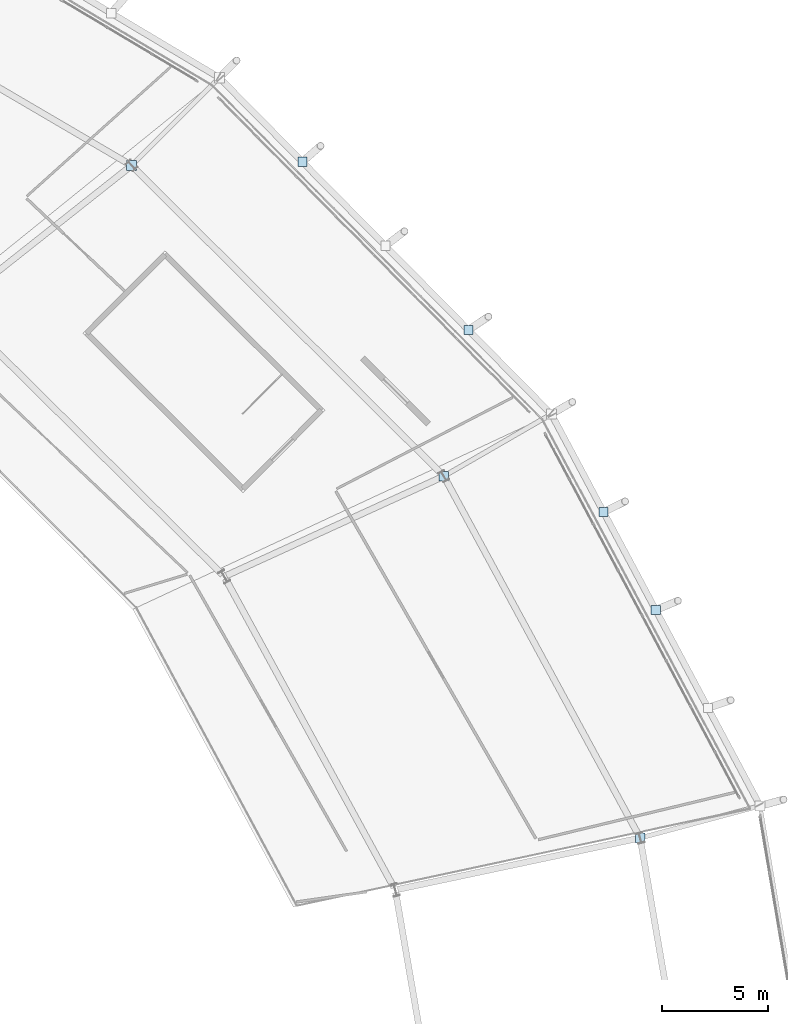
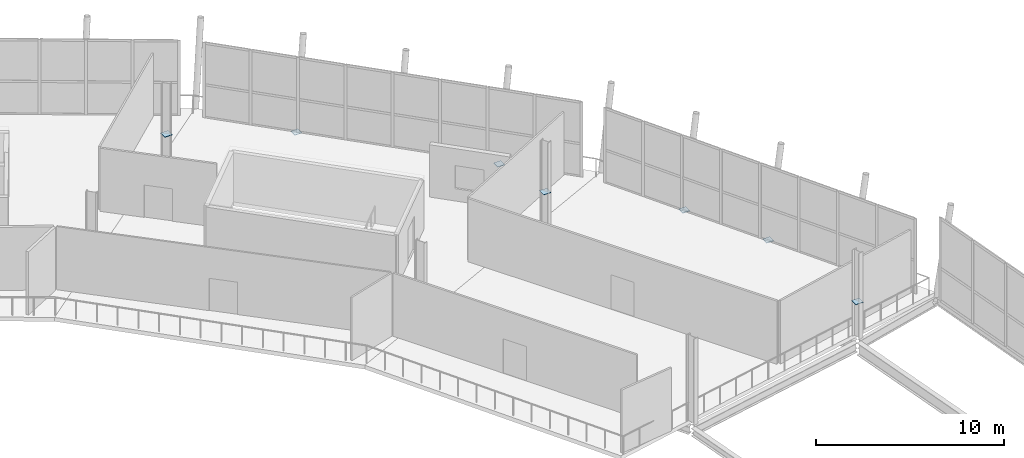
# One storey, part 73 of 99: 7 plates.
"""IFC4 building model written with IfcOpenShell, lengths in metres."""

from ifc_helpers import new_model, si_unit, direction, frame, origin, origin_2d, place, context, subcontext, project, spatial, rectangle, extrude, material, layer, layer_set, type_object, element, save


model = new_model("IFC4")

# Units and contexts
model_context = context("Model", 3, precision=1e-05, world=origin(), true_north=direction((0.0, 1.0)))
body_context = subcontext(model_context, "Body", "Model", "MODEL_VIEW")
ifc_project = project(units=[si_unit("LENGTHUNIT", "METRE"), si_unit("AREAUNIT", "SQUARE_METRE"), si_unit("VOLUMEUNIT", "CUBIC_METRE"), si_unit("PLANEANGLEUNIT", "RADIAN"), si_unit("MASSUNIT", "GRAM", prefix="KILO")], contexts=[model_context])

# Site, building, storey
site_placement = place(None, origin())
site = spatial("IfcSite", under=ifc_project, at=site_placement, CompositionType="ELEMENT")
building_placement = place(site_placement, origin())
building = spatial("IfcBuilding", under=site, at=building_placement, Name="Zlatoyarsky Gate Stadium", CompositionType="ELEMENT")
storey_placement = place(building_placement, frame((0.0, 0.0, 26.199951171875)))
storey = spatial("IfcBuildingStorey", under=building, at=storey_placement, Name="L05", CompositionType="ELEMENT", Elevation=26.199951171875)

# Plates
ifc_material = material(Name="Steel S355", Category="steel")
ifc_layer = layer(ifc_material, 0.02392578125)
ifc_layer_set = layer_set([ifc_layer], Name="Steel S355")
plate_type = type_object("IfcPlateType", Name="STEEL HOLLOW CHORD SPLICE SHEET 24", PredefinedType="SHEET", material=ifc_layer_set)
for number, where, z_axis, x_axis, name in (
    (1, (201.56982421875, 109.168212890625, -0.52197265625), (0.0, 0.0, 1.0), (1.0, 0.0, 0.0), "Node closure plate ND-SP1 NCAP-RIB-01-2-3T"),
    (2, (199.100341796875, 113.8037109375, -0.52197265625), (0.0, 0.0, 1.0), (1.0, 0.0, 0.0), "Node closure plate ND-SP1 NCAP-RIB-01-3-3T"),
):
    element("IfcPlate", number, at=place(storey_placement, frame(where, z_axis=z_axis, x_axis=x_axis)), inside=storey, type_object=plate_type, Name=name, PredefinedType="SHEET", context=body_context, shape_type="SweptSolid", body=[
        extrude(rectangle(XDim=0.43994140625, YDim=0.43994140625, at=origin_2d()), origin(), (0.0, 0.0, 1.0), 0.02392578125),
    ])
plate_placement = place(storey_placement, frame((200.8310546875, 98.376220703125, 2.2880859375), z_axis=(0.0, 0.0, 1.0), x_axis=(1.0, 0.0, 0.0)))
element("IfcPlate", 3, at=plate_placement, inside=storey, type_object=plate_type, Name="Node closure plate ND-SP1 NCAP-BPROP-01", PredefinedType="SHEET", context=body_context, shape_type="SweptSolid", body=[
    extrude(rectangle(XDim=0.4599609375, YDim=0.4599609375, at=origin_2d()), origin(), (0.0, 0.0, 1.0), 0.02392578125),
])
for number, where, z_axis, x_axis, name in (
    (4, (192.702392578125, 122.41943359375, -0.52197265625), (0.0, 0.0, 1.0), (1.0, 0.0, 0.0), "Node closure plate ND-SP1 NCAP-RIB-02-1-3T"),
    (5, (184.845703125, 130.380615234375, -0.52197265625), (0.0, 0.0, 1.0), (1.0, 0.0, 0.0), "Node closure plate ND-SP1 NCAP-RIB-02-3-3T"),
):
    element("IfcPlate", number, at=place(storey_placement, frame(where, z_axis=z_axis, x_axis=x_axis)), inside=storey, type_object=plate_type, Name=name, PredefinedType="SHEET", context=body_context, shape_type="SweptSolid", body=[
        extrude(rectangle(XDim=0.43994140625, YDim=0.43994140625, at=origin_2d()), origin(), (0.0, 0.0, 1.0), 0.02392578125),
    ])
for number, where, z_axis, x_axis, name in (
    (6, (191.540283203125, 115.5, 2.2880859375), (0.0, 0.0, 1.0), (1.0, 0.0, 0.0), "Node closure plate ND-SP1 NCAP-BPROP-02"),
    (7, (176.760986328125, 130.20458984375, 2.2880859375), (0.0, 0.0, 1.0), (1.0, 0.0, 0.0), "Node closure plate ND-SP1 NCAP-BPROP-03"),
):
    element("IfcPlate", number, at=place(storey_placement, frame(where, z_axis=z_axis, x_axis=x_axis)), inside=storey, type_object=plate_type, Name=name, PredefinedType="SHEET", context=body_context, shape_type="SweptSolid", body=[
        extrude(rectangle(XDim=0.4599609375, YDim=0.4599609375, at=origin_2d()), origin(), (0.0, 0.0, 1.0), 0.02392578125),
    ])

save(model, "model.ifc")
